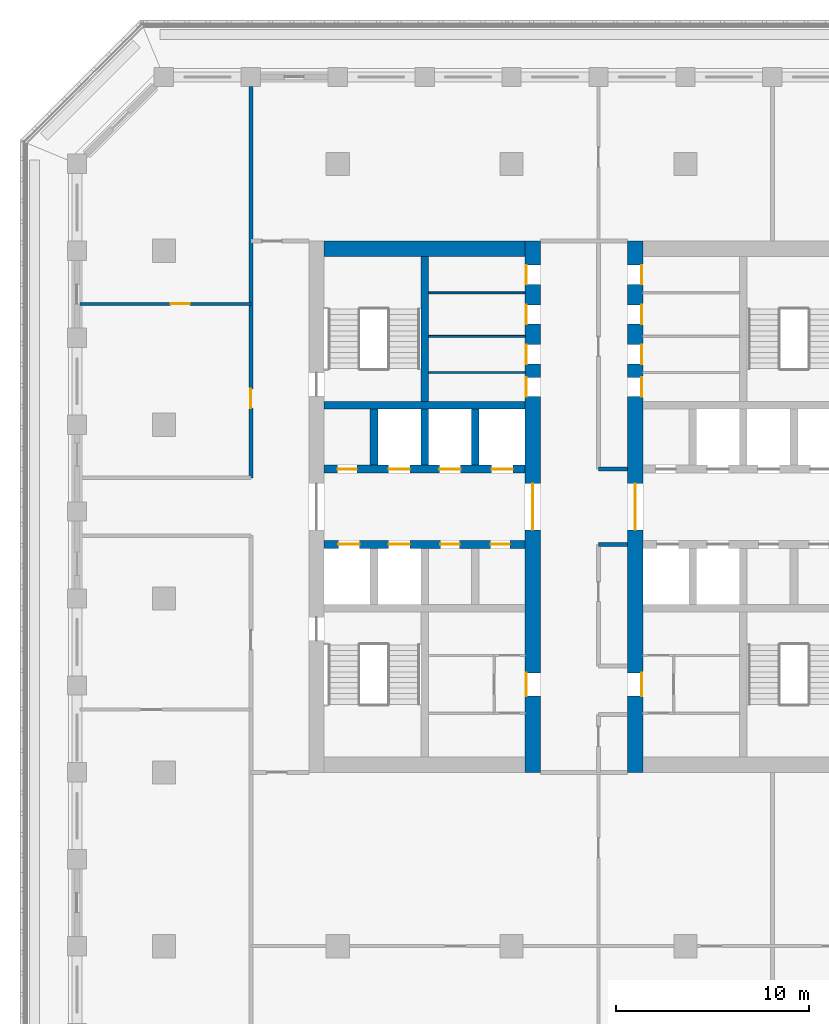
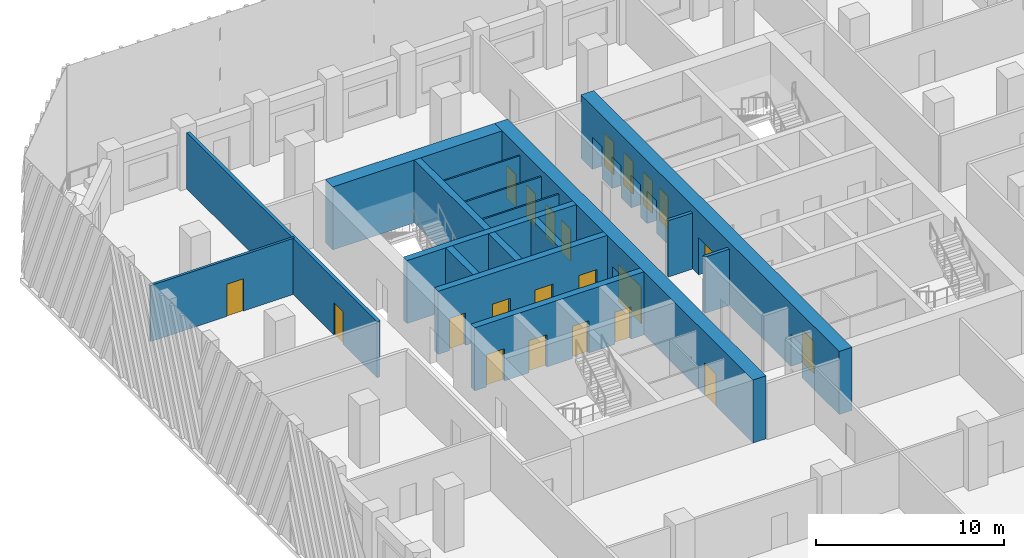
# One storey, part 5 of 16: 22 doors, 17 walls, 22 openings.
"""IFC4 building model written with IfcOpenShell, lengths in metres."""

from ifc_helpers import new_model, si_unit, direction, frame, frame_2d, origin, place, context, subcontext, project, spatial, rectangle, extrude, material, layer, layer_set, type_object, element, fill, save


model = new_model("IFC4")

# Units and contexts
model_context = context("Model", 3, precision=1e-05, world=origin(), true_north=direction((0.0, 1.0)))
body_context = subcontext(model_context, "Body", "Model", "MODEL_VIEW")
ifc_project = project(units=[si_unit("LENGTHUNIT", "METRE"), si_unit("AREAUNIT", "SQUARE_METRE"), si_unit("VOLUMEUNIT", "CUBIC_METRE"), si_unit("PLANEANGLEUNIT", "RADIAN"), si_unit("MASSUNIT", "GRAM", prefix="KILO")], contexts=[model_context])

# Site, building, storey
site_placement = place(None, origin())
site = spatial("IfcSite", under=ifc_project, at=site_placement, CompositionType="ELEMENT")
building_placement = place(site_placement, origin())
building = spatial("IfcBuilding", under=site, at=building_placement, Name="Corbel Stack Research Tower", CompositionType="ELEMENT")
storey_placement = place(building_placement, frame((0.0, 0.0, 199.699951171875)))
storey = spatial("IfcBuildingStorey", under=building, at=storey_placement, Name="L45", CompositionType="ELEMENT", Elevation=199.699951171875)

# Wall, openings, doors
ifc_material_1 = material(Name="Concrete C60/75", Category="concrete")
ifc_layer_1 = layer(ifc_material_1, 0.39990234375)
ifc_layer_set_1 = layer_set([ifc_layer_1], Name="Concrete C60/75")
wall_type_1 = type_object("IfcWallType", Name="CW-400-60", PredefinedType="SHEAR", material=ifc_layer_set_1)
wall_1_placement = place(storey_placement, frame((-9.699951171875, 2.800048828125, 0.0), z_axis=(0.0, 0.0, 1.0), x_axis=(1.0, 0.0, 0.0)))
wall_1 = element("IfcWall", 1, at=wall_1_placement, inside=storey, type_object=wall_type_1, Name="West core wall, lobby south L45", PredefinedType="SHEAR", context=body_context, shape_type="SweptSolid", body=[
    extrude(rectangle(XDim=10.39990234375, YDim=0.39990234375, at=frame_2d((5.199951171875, 0.0))), origin(), (0.0, 0.0, 1.0), 4.10009765625),
])
opening_1_placement = place(wall_1_placement, frame((0.737548828125, 0.0, 0.0)))
opening_1 = element("IfcOpeningElement", 2, at=opening_1_placement, cuts=wall_1, Name="Opening LD-FS1", PredefinedType="OPENING", context=body_context, shape_type="SweptSolid", body=[
    extrude(rectangle(XDim=1.10009765625, YDim=2.10009765625, at=frame_2d((0.550048828125, 1.050048828125))), frame((0.0, 0.2099609375, 0.0), z_axis=(0.0, -1.0, 0.0), x_axis=(1.0, 0.0, 0.0)), (0.0, 0.0, 1.0), 0.419921875),
])
opening_2_placement = place(wall_1_placement, frame((3.33740234375, 0.0, 0.0)))
opening_2 = element("IfcOpeningElement", 3, at=opening_2_placement, cuts=wall_1, Name="Opening LD-GL1", PredefinedType="OPENING", context=body_context, shape_type="SweptSolid", body=[
    extrude(rectangle(XDim=1.10009765625, YDim=2.10009765625, at=frame_2d((0.550048828125, 1.050048828125))), frame((0.0, 0.2099609375, 0.0), z_axis=(0.0, -1.0, 0.0), x_axis=(1.0, 0.0, 0.0)), (0.0, 0.0, 1.0), 0.419921875),
])
opening_3_placement = place(wall_1_placement, frame((6.012451171875, 0.0, 0.0)))
opening_3 = element("IfcOpeningElement", 4, at=opening_3_placement, cuts=wall_1, Name="Opening CR-W36-S3", PredefinedType="OPENING", context=body_context, shape_type="SweptSolid", body=[
    extrude(rectangle(XDim=1.0, YDim=2.10009765625, at=frame_2d((0.5, 1.050048828125))), frame((0.0, 0.2099609375, 0.0), z_axis=(0.0, -1.0, 0.0), x_axis=(1.0, 0.0, 0.0)), (0.0, 0.0, 1.0), 0.419921875),
])
opening_4_placement = place(wall_1_placement, frame((8.612548828125, 0.0, 0.0)))
opening_4 = element("IfcOpeningElement", 5, at=opening_4_placement, cuts=wall_1, Name="Opening CR-W36-S4", PredefinedType="OPENING", context=body_context, shape_type="SweptSolid", body=[
    extrude(rectangle(XDim=1.0, YDim=2.10009765625, at=frame_2d((0.5, 1.050048828125))), frame((0.0, 0.2099609375, 0.0), z_axis=(0.0, -1.0, 0.0), x_axis=(1.0, 0.0, 0.0)), (0.0, 0.0, 1.0), 0.419921875),
])
ifc_material_2 = material(Name="Stainless steel landing door", Category="steel")
door_type_1 = type_object("IfcDoorType", Name="Lift landing door 1100 x 2100", OperationType="DOUBLE_DOOR_SLIDING", PredefinedType="DOOR", material=ifc_material_2)
door_1_placement = place(opening_1_placement, origin())
door_1 = element("IfcDoor", 6, at=door_1_placement, inside=storey, type_object=door_type_1, Name="Landing door FS1", OperationType="DOUBLE_DOOR_SLIDING", OverallHeight=2.10009765625, OverallWidth=1.10009765625, PredefinedType="DOOR", context=body_context, shape_type="SweptSolid", body=[
    extrude(rectangle(XDim=1.10009765625, YDim=2.10009765625, at=frame_2d((0.550048828125, 1.050048828125))), frame((0.0, 0.02490234375, 0.0), z_axis=(0.0, -1.0, 0.0), x_axis=(1.0, 0.0, 0.0)), (0.0, 0.0, 1.0), 0.050048828125),
])
fill(opening_1, door_1)
door_2_placement = place(opening_2_placement, origin())
door_2 = element("IfcDoor", 7, at=door_2_placement, inside=storey, type_object=door_type_1, Name="Landing door GL1", OperationType="DOUBLE_DOOR_SLIDING", OverallHeight=2.10009765625, OverallWidth=1.10009765625, PredefinedType="DOOR", context=body_context, shape_type="SweptSolid", body=[
    extrude(rectangle(XDim=1.10009765625, YDim=2.10009765625, at=frame_2d((0.550048828125, 1.050048828125))), frame((0.0, 0.02490234375, 0.0), z_axis=(0.0, -1.0, 0.0), x_axis=(1.0, 0.0, 0.0)), (0.0, 0.0, 1.0), 0.050048828125),
])
fill(opening_2, door_2)
ifc_material_3 = material(Name="Painted steel door", Category="steel")
door_type_2 = type_object("IfcDoorType", Name="Service door 1000 x 2100 FD60 left hand", OperationType="SINGLE_SWING_LEFT", PredefinedType="DOOR", material=ifc_material_3)
door_3_placement = place(opening_3_placement, origin())
door_3 = element("IfcDoor", 8, at=door_3_placement, inside=storey, type_object=door_type_2, Name="Mechanical room door W core", OperationType="SINGLE_SWING_LEFT", OverallHeight=2.10009765625, OverallWidth=1.0, PredefinedType="DOOR", context=body_context, shape_type="SweptSolid", body=[
    extrude(rectangle(XDim=1.0, YDim=2.10009765625, at=frame_2d((0.5, 1.050048828125))), frame((0.0, 0.02490234375, 0.0), z_axis=(0.0, -1.0, 0.0), x_axis=(1.0, 0.0, 0.0)), (0.0, 0.0, 1.0), 0.050048828125),
])
fill(opening_3, door_3)
ifc_material_4 = material(Name="Painted steel door", Category="steel")
door_type_3 = type_object("IfcDoorType", Name="Service door 1000 x 2100 FD60 right hand", OperationType="SINGLE_SWING_RIGHT", PredefinedType="DOOR", material=ifc_material_4)
door_4_placement = place(opening_4_placement, origin())
door_4 = element("IfcDoor", 9, at=door_4_placement, inside=storey, type_object=door_type_3, Name="Telecom room door W core", OperationType="SINGLE_SWING_RIGHT", OverallHeight=2.10009765625, OverallWidth=1.0, PredefinedType="DOOR", context=body_context, shape_type="SweptSolid", body=[
    extrude(rectangle(XDim=1.0, YDim=2.10009765625, at=frame_2d((0.5, 1.050048828125))), frame((0.0, 0.02490234375, 0.0), z_axis=(0.0, -1.0, 0.0), x_axis=(1.0, 0.0, 0.0)), (0.0, 0.0, 1.0), 0.050048828125),
])
fill(opening_4, door_4)

wall_2_placement = place(storey_placement, frame((-9.699951171875, 6.699951171875, 0.0), z_axis=(0.0, 0.0, 1.0), x_axis=(1.0, 0.0, 0.0)))
wall_2 = element("IfcWall", 10, at=wall_2_placement, inside=storey, type_object=wall_type_1, Name="West core wall, lobby north L45", PredefinedType="SHEAR", context=body_context, shape_type="SweptSolid", body=[
    extrude(rectangle(XDim=10.39990234375, YDim=0.39990234375, at=frame_2d((5.199951171875, 0.0))), origin(), (0.0, 0.0, 1.0), 4.10009765625),
])
opening_5_placement = place(wall_2_placement, frame((3.33740234375, 0.0, 0.0)))
opening_5 = element("IfcOpeningElement", 11, at=opening_5_placement, cuts=wall_2, Name="Opening LD-HR1", PredefinedType="OPENING", context=body_context, shape_type="SweptSolid", body=[
    extrude(rectangle(XDim=1.10009765625, YDim=2.10009765625, at=frame_2d((0.550048828125, 1.050048828125))), frame((0.0, 0.2099609375, 0.0), z_axis=(0.0, -1.0, 0.0), x_axis=(1.0, 0.0, 0.0)), (0.0, 0.0, 1.0), 0.419921875),
])
opening_6_placement = place(wall_2_placement, frame((5.96240234375, 0.0, 0.0)))
opening_6 = element("IfcOpeningElement", 12, at=opening_6_placement, cuts=wall_2, Name="Opening LD-HR2", PredefinedType="OPENING", context=body_context, shape_type="SweptSolid", body=[
    extrude(rectangle(XDim=1.10009765625, YDim=2.10009765625, at=frame_2d((0.550048828125, 1.050048828125))), frame((0.0, 0.2099609375, 0.0), z_axis=(0.0, -1.0, 0.0), x_axis=(1.0, 0.0, 0.0)), (0.0, 0.0, 1.0), 0.419921875),
])
opening_7_placement = place(wall_2_placement, frame((8.66259765625, 0.0, 0.0)))
opening_7 = element("IfcOpeningElement", 13, at=opening_7_placement, cuts=wall_2, Name="Opening LD-HR3", PredefinedType="OPENING", context=body_context, shape_type="SweptSolid", body=[
    extrude(rectangle(XDim=1.10009765625, YDim=2.10009765625, at=frame_2d((0.550048828125, 1.050048828125))), frame((0.0, 0.2099609375, 0.0), z_axis=(0.0, -1.0, 0.0), x_axis=(1.0, 0.0, 0.0)), (0.0, 0.0, 1.0), 0.419921875),
])
opening_8_placement = place(wall_2_placement, frame((0.6875, 0.0, 0.0)))
opening_8 = element("IfcOpeningElement", 14, at=opening_8_placement, cuts=wall_2, Name="Opening CR-W36-N1", PredefinedType="OPENING", context=body_context, shape_type="SweptSolid", body=[
    extrude(rectangle(XDim=1.0, YDim=2.10009765625, at=frame_2d((0.5, 1.050048828125))), frame((0.0, 0.2099609375, 0.0), z_axis=(0.0, -1.0, 0.0), x_axis=(1.0, 0.0, 0.0)), (0.0, 0.0, 1.0), 0.419921875),
])
door_5_placement = place(opening_5_placement, origin())
door_5 = element("IfcDoor", 15, at=door_5_placement, inside=storey, type_object=door_type_1, Name="Landing door HR1", OperationType="DOUBLE_DOOR_SLIDING", OverallHeight=2.10009765625, OverallWidth=1.10009765625, PredefinedType="DOOR", context=body_context, shape_type="SweptSolid", body=[
    extrude(rectangle(XDim=1.10009765625, YDim=2.10009765625, at=frame_2d((0.550048828125, 1.050048828125))), frame((0.0, 0.02490234375, 0.0), z_axis=(0.0, -1.0, 0.0), x_axis=(1.0, 0.0, 0.0)), (0.0, 0.0, 1.0), 0.050048828125),
])
fill(opening_5, door_5)
door_6_placement = place(opening_6_placement, origin())
door_6 = element("IfcDoor", 16, at=door_6_placement, inside=storey, type_object=door_type_1, Name="Landing door HR2", OperationType="DOUBLE_DOOR_SLIDING", OverallHeight=2.10009765625, OverallWidth=1.10009765625, PredefinedType="DOOR", context=body_context, shape_type="SweptSolid", body=[
    extrude(rectangle(XDim=1.10009765625, YDim=2.10009765625, at=frame_2d((0.550048828125, 1.050048828125))), frame((0.0, 0.02490234375, 0.0), z_axis=(0.0, -1.0, 0.0), x_axis=(1.0, 0.0, 0.0)), (0.0, 0.0, 1.0), 0.050048828125),
])
fill(opening_6, door_6)
door_7_placement = place(opening_7_placement, origin())
door_7 = element("IfcDoor", 17, at=door_7_placement, inside=storey, type_object=door_type_1, Name="Landing door HR3", OperationType="DOUBLE_DOOR_SLIDING", OverallHeight=2.10009765625, OverallWidth=1.10009765625, PredefinedType="DOOR", context=body_context, shape_type="SweptSolid", body=[
    extrude(rectangle(XDim=1.10009765625, YDim=2.10009765625, at=frame_2d((0.550048828125, 1.050048828125))), frame((0.0, 0.02490234375, 0.0), z_axis=(0.0, -1.0, 0.0), x_axis=(1.0, 0.0, 0.0)), (0.0, 0.0, 1.0), 0.050048828125),
])
fill(opening_7, door_7)
door_8_placement = place(opening_8_placement, origin())
door_8 = element("IfcDoor", 18, at=door_8_placement, inside=storey, type_object=door_type_2, Name="Copy and supply store door W core", OperationType="SINGLE_SWING_LEFT", OverallHeight=2.10009765625, OverallWidth=1.0, PredefinedType="DOOR", context=body_context, shape_type="SweptSolid", body=[
    extrude(rectangle(XDim=1.0, YDim=2.10009765625, at=frame_2d((0.5, 1.050048828125))), frame((0.0, 0.02490234375, 0.0), z_axis=(0.0, -1.0, 0.0), x_axis=(1.0, 0.0, 0.0)), (0.0, 0.0, 1.0), 0.050048828125),
])
fill(opening_8, door_8)

# Walls
wall_3_placement = place(storey_placement, frame((-9.699951171875, 10.0, 0.0), z_axis=(0.0, 0.0, 1.0), x_axis=(1.0, 0.0, 0.0)))
element("IfcWall", 19, at=wall_3_placement, inside=storey, type_object=wall_type_1, Name="West core wall, north row back L45", PredefinedType="SHEAR", context=body_context, shape_type="SweptSolid", body=[
    extrude(rectangle(XDim=10.39990234375, YDim=0.39990234375, at=frame_2d((5.199951171875, 0.0))), origin(), (0.0, 0.0, 1.0), 4.10009765625),
])
for number, where, z_axis, x_axis, name in (
    (20, (-7.125, 6.89990234375, 0.0), (0.0, 0.0, 1.0), (0.0, 1.0, 0.0), "West core wall, north shaft 1 L45"),
    (21, (-4.5, 6.89990234375, 0.0), (0.0, 0.0, 1.0), (0.0, 1.0, 0.0), "West core wall, north shaft 2 L45"),
    (22, (-1.875, 6.89990234375, 0.0), (0.0, 0.0, 1.0), (0.0, 1.0, 0.0), "West core wall, north shaft 3 L45"),
):
    element("IfcWall", number, at=place(storey_placement, frame(where, z_axis=z_axis, x_axis=x_axis)), inside=storey, type_object=wall_type_1, Name=name, PredefinedType="SHEAR", context=body_context, shape_type="SweptSolid", body=[
        extrude(rectangle(XDim=2.900146484375, YDim=0.39990234375, at=frame_2d((1.4501953125, 0.0))), origin(), (0.0, 0.0, 1.0), 4.10009765625),
    ])
wall_4_placement = place(storey_placement, frame((-4.5, 10.199951171875, 0.0), z_axis=(0.0, 0.0, 1.0), x_axis=(0.0, 1.0, 0.0)))
element("IfcWall", 23, at=wall_4_placement, inside=storey, type_object=wall_type_1, Name="West core wall, north stair and riser L45", PredefinedType="SHEAR", context=body_context, shape_type="SweptSolid", body=[
    extrude(rectangle(XDim=7.5, YDim=0.39990234375, at=frame_2d((3.75, 0.0))), origin(), (0.0, 0.0, 1.0), 4.10009765625),
])

# Wall, openings, doors
ifc_material_5 = material(Name="Concrete C60/75", Category="concrete")
ifc_layer_2 = layer(ifc_material_5, 0.800048828125)
ifc_layer_set_2 = layer_set([ifc_layer_2], Name="Concrete C60/75")
wall_type_2 = type_object("IfcWallType", Name="CW-800-60", PredefinedType="SHEAR", material=ifc_layer_set_2)
wall_5_placement = place(storey_placement, frame((1.10009765625, -9.0, 0.0), z_axis=(0.0, 0.0, 1.0), x_axis=(0.0, 1.0, 0.0)))
wall_5 = element("IfcWall", 24, at=wall_5_placement, inside=storey, type_object=wall_type_2, Name="West core wall, east face L45", PredefinedType="SHEAR", context=body_context, shape_type="SweptSolid", body=[
    extrude(rectangle(XDim=27.5, YDim=0.800048828125, at=frame_2d((13.75, 0.0))), origin(), (0.0, 0.0, 1.0), 4.10009765625),
])
opening_9_placement = place(wall_5_placement, frame((12.550048828125, 0.0, 0.0)))
opening_9 = element("IfcOpeningElement", 25, at=opening_9_placement, cuts=wall_5, Name="Opening CD-W-E", PredefinedType="OPENING", context=body_context, shape_type="SweptSolid", body=[
    extrude(rectangle(XDim=2.39990234375, YDim=2.39990234375, at=frame_2d((1.199951171875, 1.199951171875))), frame((0.0, 0.409912109375, 0.0), z_axis=(0.0, -1.0, 0.0), x_axis=(1.0, 0.0, 0.0)), (0.0, 0.0, 1.0), 0.820068359375),
])
opening_10_placement = place(wall_5_placement, frame((3.949951171875, 0.0, 0.0)))
opening_10 = element("IfcOpeningElement", 26, at=opening_10_placement, cuts=wall_5, Name="Opening CR-W36-W1-1200", PredefinedType="OPENING", context=body_context, shape_type="SweptSolid", body=[
    extrude(rectangle(XDim=1.199951171875, YDim=2.10009765625, at=frame_2d((0.60009765625, 1.050048828125))), frame((0.0, 0.409912109375, 0.0), z_axis=(0.0, -1.0, 0.0), x_axis=(1.0, 0.0, 0.0)), (0.0, 0.0, 1.0), 0.820068359375),
])
opening_11_placement = place(wall_5_placement, frame((19.449951171875, 0.0, 0.0)))
opening_11 = element("IfcOpeningElement", 27, at=opening_11_placement, cuts=wall_5, Name="Opening CR-W36-R1-1000", PredefinedType="OPENING", context=body_context, shape_type="SweptSolid", body=[
    extrude(rectangle(XDim=1.0, YDim=2.10009765625, at=frame_2d((0.5, 1.050048828125))), frame((0.0, 0.409912109375, 0.0), z_axis=(0.0, -1.0, 0.0), x_axis=(1.0, 0.0, 0.0)), (0.0, 0.0, 1.0), 0.820068359375),
])
opening_12_placement = place(wall_5_placement, frame((21.137451171875, 0.0, 0.0)))
opening_12 = element("IfcOpeningElement", 28, at=opening_12_placement, cuts=wall_5, Name="Opening CR-W36-R2-1000", PredefinedType="OPENING", context=body_context, shape_type="SweptSolid", body=[
    extrude(rectangle(XDim=1.0, YDim=2.10009765625, at=frame_2d((0.5, 1.050048828125))), frame((0.0, 0.409912109375, 0.0), z_axis=(0.0, -1.0, 0.0), x_axis=(1.0, 0.0, 0.0)), (0.0, 0.0, 1.0), 0.820068359375),
])
opening_13_placement = place(wall_5_placement, frame((23.199951171875, 0.0, 0.0)))
opening_13 = element("IfcOpeningElement", 29, at=opening_13_placement, cuts=wall_5, Name="Opening CR-W36-R3-1000", PredefinedType="OPENING", context=body_context, shape_type="SweptSolid", body=[
    extrude(rectangle(XDim=1.0, YDim=2.10009765625, at=frame_2d((0.5, 1.050048828125))), frame((0.0, 0.409912109375, 0.0), z_axis=(0.0, -1.0, 0.0), x_axis=(1.0, 0.0, 0.0)), (0.0, 0.0, 1.0), 0.820068359375),
])
opening_14_placement = place(wall_5_placement, frame((25.262451171875, 0.0, 0.0)))
opening_14 = element("IfcOpeningElement", 30, at=opening_14_placement, cuts=wall_5, Name="Opening CR-W36-R4-1000", PredefinedType="OPENING", context=body_context, shape_type="SweptSolid", body=[
    extrude(rectangle(XDim=1.0, YDim=2.10009765625, at=frame_2d((0.5, 1.050048828125))), frame((0.0, 0.409912109375, 0.0), z_axis=(0.0, -1.0, 0.0), x_axis=(1.0, 0.0, 0.0)), (0.0, 0.0, 1.0), 0.820068359375),
])
ifc_material_6 = material(Name="Painted steel fire door", Category="steel")
door_type_4 = type_object("IfcDoorType", Name="Lobby door pair 2400 x 2400 FD30S", OperationType="DOUBLE_DOOR_DOUBLE_SWING", PredefinedType="DOOR", material=ifc_material_6)
door_9_placement = place(opening_9_placement, origin())
door_9 = element("IfcDoor", 31, at=door_9_placement, inside=storey, type_object=door_type_4, Name="Lift lobby door W core E", OperationType="DOUBLE_DOOR_DOUBLE_SWING", OverallHeight=2.39990234375, OverallWidth=2.39990234375, PredefinedType="DOOR", context=body_context, shape_type="SweptSolid", body=[
    extrude(rectangle(XDim=2.39990234375, YDim=2.39990234375, at=frame_2d((1.199951171875, 1.199951171875))), frame((0.0, 0.02490234375, 0.0), z_axis=(0.0, -1.0, 0.0), x_axis=(1.0, 0.0, 0.0)), (0.0, 0.0, 1.0), 0.050048828125),
])
fill(opening_9, door_9)
ifc_material_7 = material(Name="Painted steel door", Category="steel")
door_type_5 = type_object("IfcDoorType", Name="Riser door 1000 x 2100 FD60 left hand", OperationType="SINGLE_SWING_LEFT", PredefinedType="DOOR", material=ifc_material_7)
door_10_placement = place(opening_11_placement, origin())
door_10 = element("IfcDoor", 32, at=door_10_placement, inside=storey, type_object=door_type_5, Name="Electrical riser door W core", OperationType="SINGLE_SWING_LEFT", OverallHeight=2.10009765625, OverallWidth=1.0, PredefinedType="DOOR", context=body_context, shape_type="SweptSolid", body=[
    extrude(rectangle(XDim=1.0, YDim=2.10009765625, at=frame_2d((0.5, 1.050048828125))), frame((0.0, 0.375, 0.0), z_axis=(0.0, -1.0, 0.0), x_axis=(1.0, 0.0, 0.0)), (0.0, 0.0, 1.0), 0.050048828125),
])
fill(opening_11, door_10)
ifc_material_8 = material(Name="Painted steel door", Category="steel")
door_type_6 = type_object("IfcDoorType", Name="Riser door 1000 x 2100 FD60 right hand", OperationType="SINGLE_SWING_RIGHT", PredefinedType="DOOR", material=ifc_material_8)
door_11_placement = place(opening_12_placement, origin())
door_11 = element("IfcDoor", 33, at=door_11_placement, inside=storey, type_object=door_type_6, Name="Telecom room door W core", OperationType="SINGLE_SWING_RIGHT", OverallHeight=2.10009765625, OverallWidth=1.0, PredefinedType="DOOR", context=body_context, shape_type="SweptSolid", body=[
    extrude(rectangle(XDim=1.0, YDim=2.10009765625, at=frame_2d((0.5, 1.050048828125))), frame((0.0, 0.375, 0.0), z_axis=(0.0, -1.0, 0.0), x_axis=(1.0, 0.0, 0.0)), (0.0, 0.0, 1.0), 0.050048828125),
])
fill(opening_12, door_11)
ifc_material_9 = material(Name="Painted steel door", Category="steel")
door_type_7 = type_object("IfcDoorType", Name="Service door 1000 x 2100 FD30 left hand", OperationType="SINGLE_SWING_LEFT", PredefinedType="DOOR", material=ifc_material_9)
door_12_placement = place(opening_13_placement, origin())
door_12 = element("IfcDoor", 34, at=door_12_placement, inside=storey, type_object=door_type_7, Name="Pantry door W core", OperationType="SINGLE_SWING_LEFT", OverallHeight=2.10009765625, OverallWidth=1.0, PredefinedType="DOOR", context=body_context, shape_type="SweptSolid", body=[
    extrude(rectangle(XDim=1.0, YDim=2.10009765625, at=frame_2d((0.5, 1.050048828125))), frame((0.0, 0.375, 0.0), z_axis=(0.0, -1.0, 0.0), x_axis=(1.0, 0.0, 0.0)), (0.0, 0.0, 1.0), 0.050048828125),
])
fill(opening_13, door_12)
ifc_material_10 = material(Name="Painted steel door", Category="steel")
door_type_8 = type_object("IfcDoorType", Name="Service door 1000 x 2100 FD30 right hand", OperationType="SINGLE_SWING_RIGHT", PredefinedType="DOOR", material=ifc_material_10)
door_13_placement = place(opening_14_placement, origin())
door_13 = element("IfcDoor", 35, at=door_13_placement, inside=storey, type_object=door_type_8, Name="Cleaner's store door W core", OperationType="SINGLE_SWING_RIGHT", OverallHeight=2.10009765625, OverallWidth=1.0, PredefinedType="DOOR", context=body_context, shape_type="SweptSolid", body=[
    extrude(rectangle(XDim=1.0, YDim=2.10009765625, at=frame_2d((0.5, 1.050048828125))), frame((0.0, 0.375, 0.0), z_axis=(0.0, -1.0, 0.0), x_axis=(1.0, 0.0, 0.0)), (0.0, 0.0, 1.0), 0.050048828125),
])
fill(opening_14, door_13)
ifc_material_11 = material(Name="Painted timber door", Category="wood")
door_type_9 = type_object("IfcDoorType", Name="WC door 1200 x 2100 left hand", OperationType="SINGLE_SWING_LEFT", PredefinedType="DOOR", material=ifc_material_11)
door_14_placement = place(opening_10_placement, origin())
door_14 = element("IfcDoor", 36, at=door_14_placement, inside=storey, type_object=door_type_9, Name="WC lobby door W core", OperationType="SINGLE_SWING_LEFT", OverallHeight=2.10009765625, OverallWidth=1.199951171875, PredefinedType="DOOR", context=body_context, shape_type="SweptSolid", body=[
    extrude(rectangle(XDim=1.199951171875, YDim=2.10009765625, at=frame_2d((0.60009765625, 1.050048828125))), frame((0.0, 0.375, 0.0), z_axis=(0.0, -1.0, 0.0), x_axis=(1.0, 0.0, 0.0)), (0.0, 0.0, 1.0), 0.050048828125),
])
fill(opening_10, door_14)

# Wall
wall_6_placement = place(storey_placement, frame((-9.699951171875, 18.10009765625, 0.0), z_axis=(0.0, 0.0, 1.0), x_axis=(1.0, 0.0, 0.0)))
element("IfcWall", 37, at=wall_6_placement, inside=storey, type_object=wall_type_2, Name="West core wall, north end L45", PredefinedType="SHEAR", context=body_context, shape_type="SweptSolid", body=[
    extrude(rectangle(XDim=10.39990234375, YDim=0.800048828125, at=frame_2d((5.199951171875, 0.0))), origin(), (0.0, 0.0, 1.0), 4.10009765625),
])

# Wall, openings, doors
wall_7_placement = place(storey_placement, frame((6.39990234375, -9.0, 0.0), z_axis=(0.0, 0.0, 1.0), x_axis=(0.0, 1.0, 0.0)))
wall_7 = element("IfcWall", 38, at=wall_7_placement, inside=storey, type_object=wall_type_2, Name="East core wall, west face L45", PredefinedType="SHEAR", context=body_context, shape_type="SweptSolid", body=[
    extrude(rectangle(XDim=27.5, YDim=0.800048828125, at=frame_2d((13.75, 0.0))), origin(), (0.0, 0.0, 1.0), 4.10009765625),
])
opening_15_placement = place(wall_7_placement, frame((12.550048828125, 0.0, 0.0)))
opening_15 = element("IfcOpeningElement", 39, at=opening_15_placement, cuts=wall_7, Name="Opening CD-E-W", PredefinedType="OPENING", context=body_context, shape_type="SweptSolid", body=[
    extrude(rectangle(XDim=2.39990234375, YDim=2.39990234375, at=frame_2d((1.199951171875, 1.199951171875))), frame((0.0, 0.409912109375, 0.0), z_axis=(0.0, -1.0, 0.0), x_axis=(1.0, 0.0, 0.0)), (0.0, 0.0, 1.0), 0.820068359375),
])
opening_16_placement = place(wall_7_placement, frame((3.949951171875, 0.0, 0.0)))
opening_16 = element("IfcOpeningElement", 40, at=opening_16_placement, cuts=wall_7, Name="Opening CR-E36-W1-1200", PredefinedType="OPENING", context=body_context, shape_type="SweptSolid", body=[
    extrude(rectangle(XDim=1.199951171875, YDim=2.10009765625, at=frame_2d((0.60009765625, 1.050048828125))), frame((0.0, 0.409912109375, 0.0), z_axis=(0.0, -1.0, 0.0), x_axis=(1.0, 0.0, 0.0)), (0.0, 0.0, 1.0), 0.820068359375),
])
opening_17_placement = place(wall_7_placement, frame((19.449951171875, 0.0, 0.0)))
opening_17 = element("IfcOpeningElement", 41, at=opening_17_placement, cuts=wall_7, Name="Opening CR-E36-R1-1000", PredefinedType="OPENING", context=body_context, shape_type="SweptSolid", body=[
    extrude(rectangle(XDim=1.0, YDim=2.10009765625, at=frame_2d((0.5, 1.050048828125))), frame((0.0, 0.409912109375, 0.0), z_axis=(0.0, -1.0, 0.0), x_axis=(1.0, 0.0, 0.0)), (0.0, 0.0, 1.0), 0.820068359375),
])
opening_18_placement = place(wall_7_placement, frame((21.137451171875, 0.0, 0.0)))
opening_18 = element("IfcOpeningElement", 42, at=opening_18_placement, cuts=wall_7, Name="Opening CR-E36-R2-1000", PredefinedType="OPENING", context=body_context, shape_type="SweptSolid", body=[
    extrude(rectangle(XDim=1.0, YDim=2.10009765625, at=frame_2d((0.5, 1.050048828125))), frame((0.0, 0.409912109375, 0.0), z_axis=(0.0, -1.0, 0.0), x_axis=(1.0, 0.0, 0.0)), (0.0, 0.0, 1.0), 0.820068359375),
])
opening_19_placement = place(wall_7_placement, frame((23.199951171875, 0.0, 0.0)))
opening_19 = element("IfcOpeningElement", 43, at=opening_19_placement, cuts=wall_7, Name="Opening CR-E36-R3-1000", PredefinedType="OPENING", context=body_context, shape_type="SweptSolid", body=[
    extrude(rectangle(XDim=1.0, YDim=2.10009765625, at=frame_2d((0.5, 1.050048828125))), frame((0.0, 0.409912109375, 0.0), z_axis=(0.0, -1.0, 0.0), x_axis=(1.0, 0.0, 0.0)), (0.0, 0.0, 1.0), 0.820068359375),
])
opening_20_placement = place(wall_7_placement, frame((25.262451171875, 0.0, 0.0)))
opening_20 = element("IfcOpeningElement", 44, at=opening_20_placement, cuts=wall_7, Name="Opening CR-E36-R4-1000", PredefinedType="OPENING", context=body_context, shape_type="SweptSolid", body=[
    extrude(rectangle(XDim=1.0, YDim=2.10009765625, at=frame_2d((0.5, 1.050048828125))), frame((0.0, 0.409912109375, 0.0), z_axis=(0.0, -1.0, 0.0), x_axis=(1.0, 0.0, 0.0)), (0.0, 0.0, 1.0), 0.820068359375),
])
door_15_placement = place(opening_15_placement, origin())
door_15 = element("IfcDoor", 45, at=door_15_placement, inside=storey, type_object=door_type_4, Name="Lift lobby door E core W", OperationType="DOUBLE_DOOR_DOUBLE_SWING", OverallHeight=2.39990234375, OverallWidth=2.39990234375, PredefinedType="DOOR", context=body_context, shape_type="SweptSolid", body=[
    extrude(rectangle(XDim=2.39990234375, YDim=2.39990234375, at=frame_2d((1.199951171875, 1.199951171875))), frame((0.0, 0.02490234375, 0.0), z_axis=(0.0, -1.0, 0.0), x_axis=(1.0, 0.0, 0.0)), (0.0, 0.0, 1.0), 0.050048828125),
])
fill(opening_15, door_15)
door_16_placement = place(opening_18_placement, origin())
door_16 = element("IfcDoor", 46, at=door_16_placement, inside=storey, type_object=door_type_5, Name="Telecom room door E core", OperationType="SINGLE_SWING_LEFT", OverallHeight=2.10009765625, OverallWidth=1.0, PredefinedType="DOOR", context=body_context, shape_type="SweptSolid", body=[
    extrude(rectangle(XDim=1.0, YDim=2.10009765625, at=frame_2d((0.5, 1.050048828125))), frame((0.0, -0.3251953125, 0.0), z_axis=(0.0, -1.0, 0.0), x_axis=(1.0, 0.0, 0.0)), (0.0, 0.0, 1.0), 0.050048828125),
])
fill(opening_18, door_16)
door_17_placement = place(opening_17_placement, origin())
door_17 = element("IfcDoor", 47, at=door_17_placement, inside=storey, type_object=door_type_6, Name="Electrical riser door E core", OperationType="SINGLE_SWING_RIGHT", OverallHeight=2.10009765625, OverallWidth=1.0, PredefinedType="DOOR", context=body_context, shape_type="SweptSolid", body=[
    extrude(rectangle(XDim=1.0, YDim=2.10009765625, at=frame_2d((0.5, 1.050048828125))), frame((0.0, -0.3251953125, 0.0), z_axis=(0.0, -1.0, 0.0), x_axis=(1.0, 0.0, 0.0)), (0.0, 0.0, 1.0), 0.050048828125),
])
fill(opening_17, door_17)
door_18_placement = place(opening_20_placement, origin())
door_18 = element("IfcDoor", 48, at=door_18_placement, inside=storey, type_object=door_type_7, Name="Cleaner's store door E core", OperationType="SINGLE_SWING_LEFT", OverallHeight=2.10009765625, OverallWidth=1.0, PredefinedType="DOOR", context=body_context, shape_type="SweptSolid", body=[
    extrude(rectangle(XDim=1.0, YDim=2.10009765625, at=frame_2d((0.5, 1.050048828125))), frame((0.0, -0.3251953125, 0.0), z_axis=(0.0, -1.0, 0.0), x_axis=(1.0, 0.0, 0.0)), (0.0, 0.0, 1.0), 0.050048828125),
])
fill(opening_20, door_18)
door_19_placement = place(opening_19_placement, origin())
door_19 = element("IfcDoor", 49, at=door_19_placement, inside=storey, type_object=door_type_8, Name="Pantry door E core", OperationType="SINGLE_SWING_RIGHT", OverallHeight=2.10009765625, OverallWidth=1.0, PredefinedType="DOOR", context=body_context, shape_type="SweptSolid", body=[
    extrude(rectangle(XDim=1.0, YDim=2.10009765625, at=frame_2d((0.5, 1.050048828125))), frame((0.0, -0.3251953125, 0.0), z_axis=(0.0, -1.0, 0.0), x_axis=(1.0, 0.0, 0.0)), (0.0, 0.0, 1.0), 0.050048828125),
])
fill(opening_19, door_19)
ifc_material_12 = material(Name="Painted timber door", Category="wood")
door_type_10 = type_object("IfcDoorType", Name="WC door 1200 x 2100 right hand", OperationType="SINGLE_SWING_RIGHT", PredefinedType="DOOR", material=ifc_material_12)
door_20_placement = place(opening_16_placement, origin())
door_20 = element("IfcDoor", 50, at=door_20_placement, inside=storey, type_object=door_type_10, Name="WC lobby door E core", OperationType="SINGLE_SWING_RIGHT", OverallHeight=2.10009765625, OverallWidth=1.199951171875, PredefinedType="DOOR", context=body_context, shape_type="SweptSolid", body=[
    extrude(rectangle(XDim=1.199951171875, YDim=2.10009765625, at=frame_2d((0.60009765625, 1.050048828125))), frame((0.0, -0.3251953125, 0.0), z_axis=(0.0, -1.0, 0.0), x_axis=(1.0, 0.0, 0.0)), (0.0, 0.0, 1.0), 0.050048828125),
])
fill(opening_16, door_20)

# Walls
ifc_material_13 = material(Name="Gypsum board")
ifc_layer_3 = layer(ifc_material_13, 0.10009765625)
ifc_layer_set_3 = layer_set([ifc_layer_3], Name="Gypsum board")
wall_type_3 = type_object("IfcWallType", Name="Core partition 100", PredefinedType="PARTITIONING", material=ifc_layer_set_3)
for number, where, z_axis, x_axis, name in (
    (51, (-4.300048828125, 11.699951171875, 0.0), (0.0, 0.0, 1.0), (1.0, 0.0, 0.0), "Core partition W"),
    (52, (-4.300048828125, 13.574951171875, 0.0), (0.0, 0.0, 1.0), (1.0, 0.0, 0.0), "Core partition W"),
    (53, (-4.300048828125, 15.824951171875, 0.0), (0.0, 0.0, 1.0), (1.0, 0.0, 0.0), "Core partition W"),
):
    element("IfcWall", number, at=place(storey_placement, frame(where, z_axis=z_axis, x_axis=x_axis)), inside=storey, type_object=wall_type_3, Name=name, PredefinedType="PARTITIONING", context=body_context, shape_type="SweptSolid", body=[
        extrude(rectangle(XDim=5.0, YDim=0.10009765625, at=frame_2d((2.5, 0.0))), origin(), (0.0, 0.0, 1.0), 3.650146484375),
    ])

# Wall, opening, door
ifc_material_14 = material(Name="Fire-rated gypsum board partition on steel studs", Category="steel")
ifc_layer_4 = layer(ifc_material_14, 0.199951171875)
ifc_layer_set_4 = layer_set([ifc_layer_4], Name="Fire-rated gypsum board partition on steel studs")
wall_type_4 = type_object("IfcWallType", Name="Fire-rated partition 200 EI 60", PredefinedType="PARTITIONING", material=ifc_layer_set_4)
wall_8_placement = place(storey_placement, frame((-13.5, 6.25, 0.0), z_axis=(0.0, 0.0, 1.0), x_axis=(0.0, 1.0, 0.0)))
wall_8 = element("IfcWall", 54, at=wall_8_placement, inside=storey, type_object=wall_type_4, Name="Partition L45-002", PredefinedType="PARTITIONING", context=body_context, shape_type="SweptSolid", body=[
    extrude(rectangle(XDim=20.25, YDim=0.199951171875, at=frame_2d((10.125, 0.0))), origin(), (0.0, 0.0, 1.0), 3.650146484375),
])
opening_21_placement = place(wall_8_placement, frame((3.60009765625, 0.0, 0.0)))
opening_21 = element("IfcOpeningElement", 55, at=opening_21_placement, cuts=wall_8, Name="Opening B6V0-005", PredefinedType="OPENING", context=body_context, shape_type="SweptSolid", body=[
    extrude(rectangle(XDim=1.0, YDim=2.10009765625, at=frame_2d((0.5, 1.050048828125))), frame((0.0, 0.10986328125, 0.0), z_axis=(0.0, -1.0, 0.0), x_axis=(1.0, 0.0, 0.0)), (0.0, 0.0, 1.0), 0.219970703125),
])
ifc_material_15 = material(Name="Painted steel fire door", Category="steel")
door_type_11 = type_object("IfcDoorType", Name="Fire door FD30S 1000 x 2100", OperationType="NOTDEFINED", PredefinedType="DOOR", material=ifc_material_15)
door_21_placement = place(opening_21_placement, origin())
door_21 = element("IfcDoor", 56, at=door_21_placement, inside=storey, type_object=door_type_11, Name="Door B6V0-005", OperationType="SINGLE_SWING_LEFT", OverallHeight=2.10009765625, OverallWidth=1.0, PredefinedType="DOOR", context=body_context, shape_type="SweptSolid", body=[
    extrude(rectangle(XDim=1.0, YDim=2.10009765625, at=frame_2d((0.5, 1.050048828125))), frame((0.0, 0.02490234375, 0.0), z_axis=(0.0, -1.0, 0.0), x_axis=(1.0, 0.0, 0.0)), (0.0, 0.0, 1.0), 0.050048828125),
])
fill(opening_21, door_21)

# Walls
for number, where, z_axis, x_axis, name in (
    (57, (4.5, 2.800048828125, 0.0), (0.0, 0.0, 1.0), (1.0, 0.0, 0.0), "Partition L45-024"),
    (58, (4.5, 6.699951171875, 0.0), (0.0, 0.0, 1.0), (1.0, 0.0, 0.0), "Partition L45-029"),
):
    element("IfcWall", number, at=place(storey_placement, frame(where, z_axis=z_axis, x_axis=x_axis)), inside=storey, type_object=wall_type_4, Name=name, PredefinedType="PARTITIONING", context=body_context, shape_type="SweptSolid", body=[
        extrude(rectangle(XDim=1.5, YDim=0.199951171875, at=frame_2d((0.75, 0.0))), origin(), (0.0, 0.0, 1.0), 3.650146484375),
    ])

# Wall, opening, door
ifc_material_16 = material(Name="Gypsum board partition on steel studs", Category="steel")
ifc_layer_5 = layer(ifc_material_16, 0.14990234375)
ifc_layer_set_5 = layer_set([ifc_layer_5], Name="Gypsum board partition on steel studs")
wall_type_5 = type_object("IfcWallType", Name="Partition 150", PredefinedType="PARTITIONING", material=ifc_layer_set_5)
wall_9_placement = place(storey_placement, frame((-22.35009765625, 15.25, 0.0), z_axis=(0.0, 0.0, 1.0), x_axis=(1.0, 0.0, 0.0)))
wall_9 = element("IfcWall", 59, at=wall_9_placement, inside=storey, type_object=wall_type_5, Name="Partition L45-030", PredefinedType="PARTITIONING", context=body_context, shape_type="SweptSolid", body=[
    extrude(rectangle(XDim=8.85009765625, YDim=0.14990234375, at=frame_2d((4.425048828125, 0.0))), origin(), (0.0, 0.0, 1.0), 3.650146484375),
])
opening_22_placement = place(wall_9_placement, frame((4.699951171875, 0.0, 0.0)))
opening_22 = element("IfcOpeningElement", 60, at=opening_22_placement, cuts=wall_9, Name="Opening B6V0-017", PredefinedType="OPENING", context=body_context, shape_type="SweptSolid", body=[
    extrude(rectangle(XDim=1.0, YDim=2.10009765625, at=frame_2d((0.5, 1.050048828125))), frame((0.0, 0.0849609375, 0.0), z_axis=(0.0, -1.0, 0.0), x_axis=(1.0, 0.0, 0.0)), (0.0, 0.0, 1.0), 0.169921875),
])
ifc_material_17 = material(Name="Painted timber door", Category="wood")
door_type_12 = type_object("IfcDoorType", Name="Single door 1000 x 2100", OperationType="NOTDEFINED", PredefinedType="DOOR", material=ifc_material_17)
door_22_placement = place(opening_22_placement, origin())
door_22 = element("IfcDoor", 61, at=door_22_placement, inside=storey, type_object=door_type_12, Name="Door B6V0-017", OperationType="SINGLE_SWING_RIGHT", OverallHeight=2.10009765625, OverallWidth=1.0, PredefinedType="DOOR", context=body_context, shape_type="SweptSolid", body=[
    extrude(rectangle(XDim=1.0, YDim=2.10009765625, at=frame_2d((0.5, 1.050048828125))), frame((0.0, 0.02490234375, 0.0), z_axis=(0.0, -1.0, 0.0), x_axis=(1.0, 0.0, 0.0)), (0.0, 0.0, 1.0), 0.050048828125),
])
fill(opening_22, door_22)

save(model, "model.ifc")
